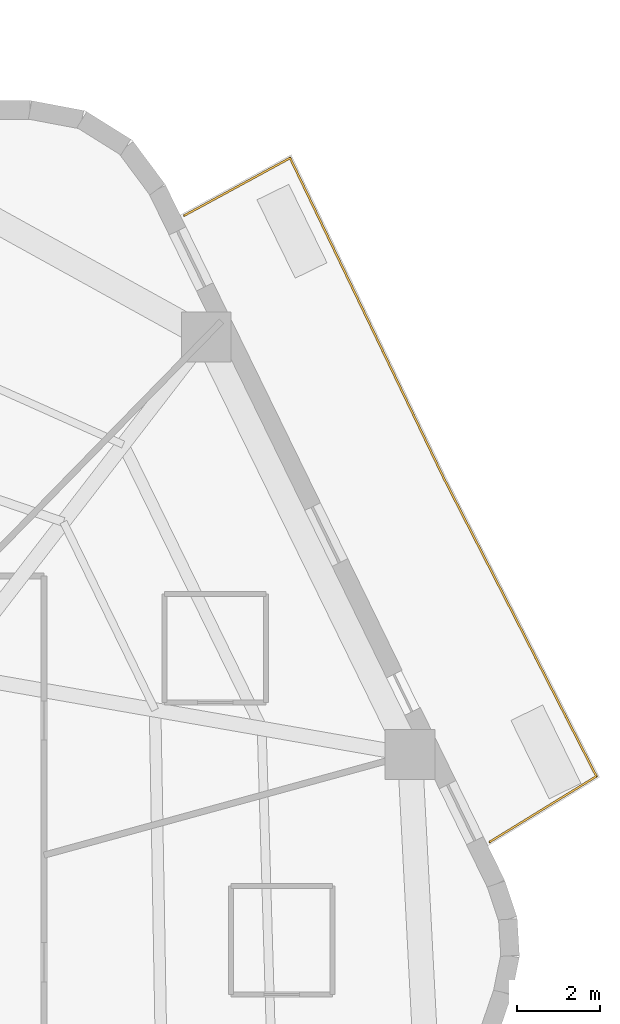
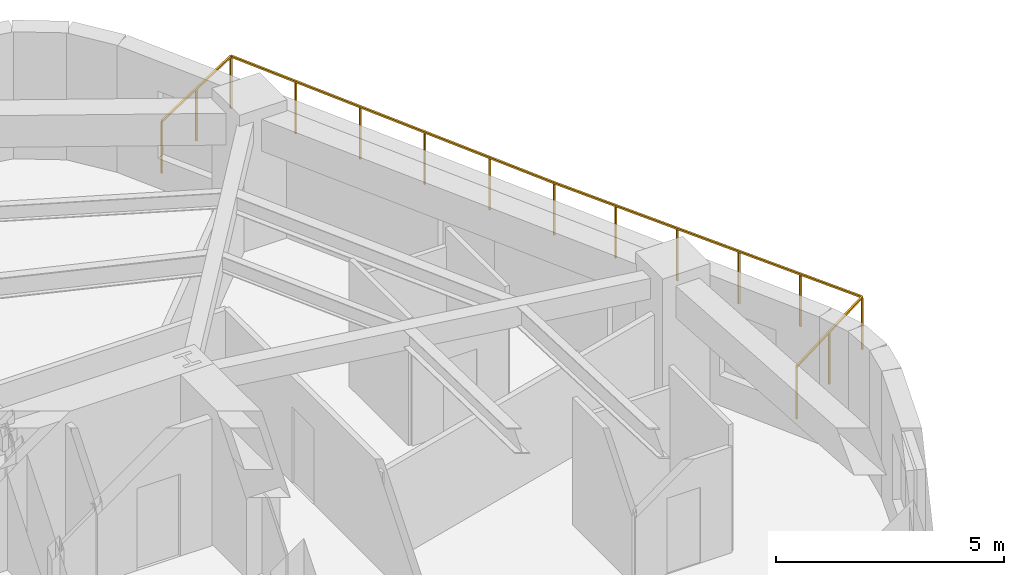
# One storey, part 9 of 9: 1 railing.
"""IFC4 building model written with IfcOpenShell, lengths in metres."""

from ifc_helpers import new_model, si_unit, direction, frame, origin, origin_2d, place, context, subcontext, project, spatial, rectangle, extrude, material, layer, layer_set, type_object, element, save


model = new_model("IFC4")

# Units and contexts
model_context = context("Model", 3, precision=1e-05, world=origin(), true_north=direction((0.0, 1.0)))
body_context = subcontext(model_context, "Body", "Model", "MODEL_VIEW")
ifc_project = project(units=[si_unit("LENGTHUNIT", "METRE"), si_unit("AREAUNIT", "SQUARE_METRE"), si_unit("VOLUMEUNIT", "CUBIC_METRE"), si_unit("PLANEANGLEUNIT", "RADIAN"), si_unit("MASSUNIT", "GRAM", prefix="KILO")], contexts=[model_context])

# Site, building, storey
site_placement = place(None, origin())
site = spatial("IfcSite", under=ifc_project, at=site_placement, CompositionType="ELEMENT")
building_placement = place(site_placement, origin())
building = spatial("IfcBuilding", under=site, at=building_placement, Name="Kilnhurst Terrace Hotel", CompositionType="ELEMENT")
storey_placement = place(building_placement, frame((0.0, 0.0, 124.699951171875)))
storey = spatial("IfcBuildingStorey", under=building, at=storey_placement, Name="L30", CompositionType="ELEMENT", Elevation=124.699951171875)

# Railing
ifc_material = material(Name="Laminated SentryGlas and Stainless Steel AISI 316L Balustrade", Category="steel")
ifc_layer = layer(ifc_material, 0.070068359375, Name="Laminated SentryGlas and Stainless Steel AISI 316L Balustrade")
ifc_layer_set = layer_set([ifc_layer], Name="Laminated SentryGlas and Stainless Steel AISI 316L Balustrade")
railing_type = type_object("IfcRailingType", Name="RLG-BAL-1420", PredefinedType="BALUSTRADE", material=ifc_layer_set)
railing_placement = place(storey_placement, frame((14.722900390625, 18.529541015625, 0.0)))
element("IfcRailing", 1, at=railing_placement, inside=storey, type_object=railing_type, Name="L30 Exterior Terrace Guardrail BAL-L1A.1", PredefinedType="BALUSTRADE", context=body_context, shape_type="SweptSolid", body=[
    extrude(rectangle(XDim=0.048095703125, YDim=0.048095703125, at=origin_2d()), frame((0.0, 0.0, 1.39599609375), z_axis=(0.878553207741, 0.477644492451, 0.0), x_axis=(-0.477644492451, 0.878553207741, 0.0)), (0.0, 0.0, 1.0), 2.90478515625),
    extrude(rectangle(XDim=0.048095703125, YDim=0.048095703125, at=origin_2d()), frame((2.552001953125, 1.387451171875, 1.39599609375), z_axis=(0.43291229924, -0.901436043858, 0.0), x_axis=(0.901436043858, 0.43291229924, 0.0)), (0.0, 0.0, 1.0), 8.583251953125),
    extrude(rectangle(XDim=0.048095703125, YDim=0.048095703125, at=origin_2d()), frame((6.267822265625, -6.349853515625, 1.39599609375), z_axis=(0.514495755428, -0.857492925713, 0.0), x_axis=(0.857492925713, 0.514495755428, 0.0)), (0.0, 0.0, 1.0), 0.00146484375),
    extrude(rectangle(XDim=0.048095703125, YDim=0.048095703125, at=origin_2d()), frame((6.2685546875, -6.35107421875, 1.39599609375), z_axis=(0.455744437697, -0.890110671494, 0.0), x_axis=(0.890110671494, 0.455744437697, 0.0)), (0.0, 0.0, 1.0), 8.039794921875),
    extrude(rectangle(XDim=0.048095703125, YDim=0.048095703125, at=origin_2d()), frame((9.9326171875, -13.50732421875, 1.39599609375), z_axis=(-0.85191630472, -0.523677963784, 0.0), x_axis=(0.523677963784, -0.85191630472, 0.0)), (0.0, 0.0, 1.0), 3.0205078125),
    extrude(rectangle(XDim=0.0419921875, YDim=0.0419921875, at=origin_2d()), origin(), (0.0, 0.0, 1.0), 1.371826171875),
    extrude(rectangle(XDim=0.0419921875, YDim=0.0419921875, at=origin_2d()), frame((1.27587890625, 0.69384765625, 0.0)), (0.0, 0.0, 1.0), 1.371826171875),
    extrude(rectangle(XDim=0.0419921875, YDim=0.0419921875, at=origin_2d()), frame((2.552001953125, 1.387451171875, 0.0)), (0.0, 0.0, 1.0), 1.371826171875),
    extrude(rectangle(XDim=0.0419921875, YDim=0.0419921875, at=origin_2d()), frame((3.295166015625, -0.159912109375, 0.0)), (0.0, 0.0, 1.0), 1.371826171875),
    extrude(rectangle(XDim=0.0419921875, YDim=0.0419921875, at=origin_2d()), frame((4.038330078125, -1.70751953125, 0.0)), (0.0, 0.0, 1.0), 1.371826171875),
    extrude(rectangle(XDim=0.0419921875, YDim=0.0419921875, at=origin_2d()), frame((4.781494140625, -3.2548828125, 0.0)), (0.0, 0.0, 1.0), 1.371826171875),
    extrude(rectangle(XDim=0.0419921875, YDim=0.0419921875, at=origin_2d()), frame((5.524658203125, -4.802490234375, 0.0)), (0.0, 0.0, 1.0), 1.371826171875),
    extrude(rectangle(XDim=0.0419921875, YDim=0.0419921875, at=origin_2d()), frame((6.267822265625, -6.349853515625, 0.0)), (0.0, 0.0, 1.0), 1.371826171875),
    extrude(rectangle(XDim=0.0419921875, YDim=0.0419921875, at=origin_2d()), frame((6.2685546875, -6.35107421875, 0.0)), (0.0, 0.0, 1.0), 1.371826171875),
    extrude(rectangle(XDim=0.0419921875, YDim=0.0419921875, at=origin_2d()), frame((7.00146484375, -7.7822265625, 0.0)), (0.0, 0.0, 1.0), 1.371826171875),
    extrude(rectangle(XDim=0.0419921875, YDim=0.0419921875, at=origin_2d()), frame((7.734130859375, -9.213623046875, 0.0)), (0.0, 0.0, 1.0), 1.371826171875),
    extrude(rectangle(XDim=0.0419921875, YDim=0.0419921875, at=origin_2d()), frame((8.467041015625, -10.644775390625, 0.0)), (0.0, 0.0, 1.0), 1.371826171875),
    extrude(rectangle(XDim=0.0419921875, YDim=0.0419921875, at=origin_2d()), frame((9.19970703125, -12.076171875, 0.0)), (0.0, 0.0, 1.0), 1.371826171875),
    extrude(rectangle(XDim=0.0419921875, YDim=0.0419921875, at=origin_2d()), frame((9.9326171875, -13.50732421875, 0.0)), (0.0, 0.0, 1.0), 1.371826171875),
    extrude(rectangle(XDim=0.0419921875, YDim=0.0419921875, at=origin_2d()), frame((8.64599609375, -14.29833984375, 0.0)), (0.0, 0.0, 1.0), 1.371826171875),
    extrude(rectangle(XDim=0.0419921875, YDim=0.0419921875, at=origin_2d()), frame((7.359375, -15.089111328125, 0.0)), (0.0, 0.0, 1.0), 1.371826171875),
])

save(model, "model.ifc")
